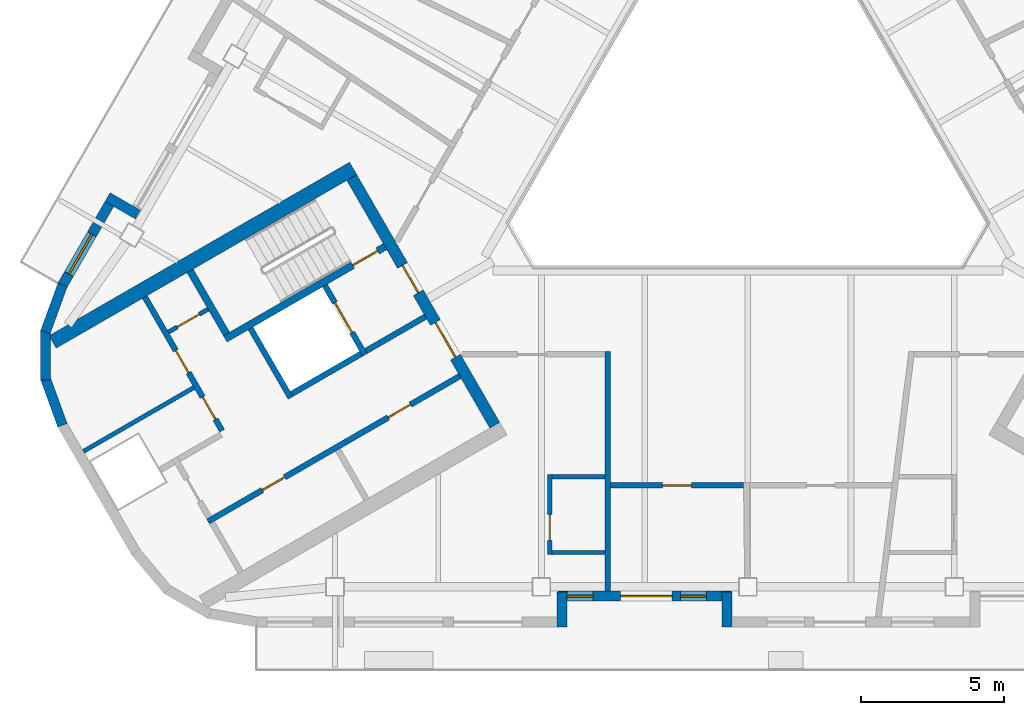
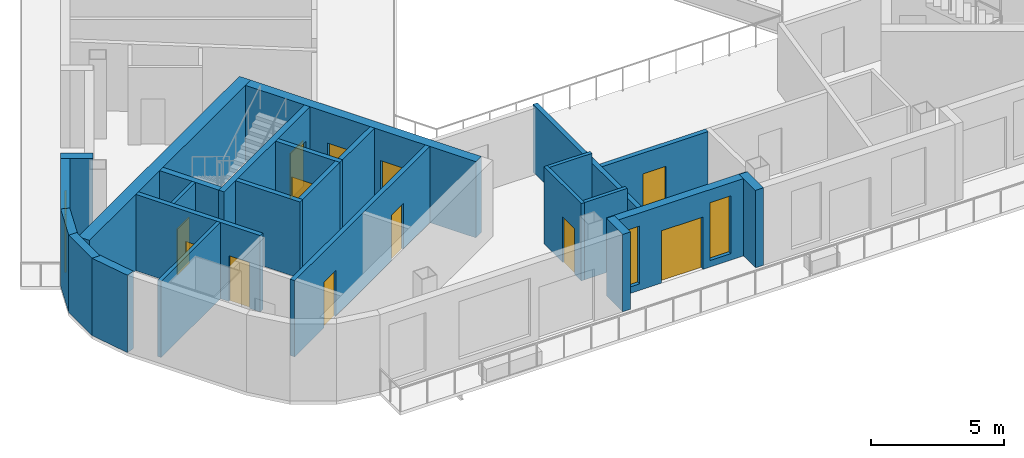
# One storey, part 3 of 13: 25 walls, 12 doors, 3 windows, 15 openings.
"""IFC4 building model written with IfcOpenShell, lengths in metres."""

from ifc_helpers import new_model, si_unit, direction, frame, frame_2d, origin, place, context, subcontext, project, spatial, rectangle, extrude, material, layer, layer_set, type_object, element, fill, save


model = new_model("IFC4")

# Units and contexts
model_context = context("Model", 3, precision=1e-05, world=origin(), true_north=direction((0.0, 1.0)))
body_context = subcontext(model_context, "Body", "Model", "MODEL_VIEW")
ifc_project = project(units=[si_unit("LENGTHUNIT", "METRE"), si_unit("AREAUNIT", "SQUARE_METRE"), si_unit("VOLUMEUNIT", "CUBIC_METRE"), si_unit("PLANEANGLEUNIT", "RADIAN"), si_unit("MASSUNIT", "GRAM", prefix="KILO")], contexts=[model_context])

# Site, building, storey
site_placement = place(None, origin())
site = spatial("IfcSite", under=ifc_project, at=site_placement, CompositionType="ELEMENT")
building_placement = place(site_placement, origin())
building = spatial("IfcBuilding", under=site, at=building_placement, Name="Apuvela Tower Hotel", CompositionType="ELEMENT")
storey_placement = place(building_placement, frame((0.0, 0.0, 283.699951171875)))
storey = spatial("IfcBuildingStorey", under=building, at=storey_placement, Name="L70", CompositionType="ELEMENT", Elevation=283.699951171875)

# Wall, openings, doors
ifc_material_1 = material(Name="Concrete C50/60", Category="concrete")
ifc_layer_1 = layer(ifc_material_1, 0.39990234375)
ifc_layer_set_1 = layer_set([ifc_layer_1], Name="COR-WALL-CORE-400")
wall_type_1 = type_object("IfcWallType", Name="COR-WALL-CORE-400", PredefinedType="SHEAR", material=ifc_layer_set_1)
wall_1_placement = place(storey_placement, frame((-13.844970703125, -2.219970703125, 0.0), z_axis=(0.0, 0.0, 1.0), x_axis=(0.500004234368, -0.866022959057, 0.0)))
wall_1 = element("IfcWall", 1, at=wall_1_placement, inside=storey, type_object=wall_type_1, Name="Core wall SW", PredefinedType="SHEAR", context=body_context, shape_type="SweptSolid", body=[
    extrude(rectangle(XDim=10.0, YDim=0.39990234375, at=frame_2d((5.0, 0.0))), origin(), (0.0, 0.0, 1.0), 3.5),
])
opening_1_placement = place(wall_1_placement, frame((3.550048828125, 0.0, 0.0)))
opening_1 = element("IfcOpeningElement", 2, at=opening_1_placement, cuts=wall_1, Name="Opening W-FD", PredefinedType="OPENING", context=body_context, shape_type="SweptSolid", body=[
    extrude(rectangle(XDim=1.10009765625, YDim=2.10009765625, at=frame_2d((0.550048828125, 1.050048828125))), frame((0.0, 0.2099609375, 0.0), z_axis=(0.0, -1.0, 0.0), x_axis=(1.0, 0.0, 0.0)), (0.0, 0.0, 1.0), 0.419921875),
])
opening_2_placement = place(wall_1_placement, frame((5.85009765625, 0.0, 0.0)))
opening_2 = element("IfcOpeningElement", 3, at=opening_2_placement, cuts=wall_1, Name="Opening W-GD", PredefinedType="OPENING", context=body_context, shape_type="SweptSolid", body=[
    extrude(rectangle(XDim=1.39990234375, YDim=2.10009765625, at=frame_2d((0.699951171875, 1.050048828125))), frame((0.0, 0.2099609375, 0.0), z_axis=(0.0, -1.0, 0.0), x_axis=(1.0, 0.0, 0.0)), (0.0, 0.0, 1.0), 0.419921875),
])
ifc_material_2 = material(Name="Steel fire door, powder coated", Category="steel")
door_type_1 = type_object("IfcDoorType", Name="COR-FD-1100", OperationType="NOTDEFINED", PredefinedType="DOOR", material=ifc_material_2)
door_1_placement = place(opening_1_placement, frame((1.10009765625, 0.0, 0.0), z_axis=(0.0, 0.0, 1.0), x_axis=(-1.0, 0.0, 0.0)))
door_1 = element("IfcDoor", 4, at=door_1_placement, inside=storey, type_object=door_type_1, Name="Firefighting lobby door W-FD", OperationType="SINGLE_SWING_LEFT", OverallHeight=2.10009765625, OverallWidth=1.10009765625, PredefinedType="DOOR", context=body_context, shape_type="SweptSolid", body=[
    extrude(rectangle(XDim=1.10009765625, YDim=2.10009765625, at=frame_2d((0.550048828125, 1.050048828125))), frame((0.0, 0.02490234375, 0.0), z_axis=(0.0, -1.0, 0.0), x_axis=(1.0, 0.0, 0.0)), (0.0, 0.0, 1.0), 0.050048828125),
])
fill(opening_1, door_1)
ifc_material_3 = material(Name="Glazed steel fire door", Category="steel")
door_type_2 = type_object("IfcDoorType", Name="COR-GD-1400", OperationType="DOUBLE_DOOR_SINGLE_SWING", PredefinedType="DOOR", material=ifc_material_3)
door_2_placement = place(opening_2_placement, frame((1.39990234375, 0.0, 0.0), z_axis=(0.0, 0.0, 1.0), x_axis=(-1.0, 0.0, 0.0)))
door_2 = element("IfcDoor", 5, at=door_2_placement, inside=storey, type_object=door_type_2, Name="Lift lobby door W-GD", OperationType="DOUBLE_DOOR_SINGLE_SWING", OverallHeight=2.10009765625, OverallWidth=1.39990234375, PredefinedType="DOOR", context=body_context, shape_type="SweptSolid", body=[
    extrude(rectangle(XDim=1.39990234375, YDim=2.10009765625, at=frame_2d((0.699951171875, 1.050048828125))), frame((0.0, 0.02490234375, 0.0), z_axis=(0.0, -1.0, 0.0), x_axis=(1.0, 0.0, 0.0)), (0.0, 0.0, 1.0), 0.050048828125),
])
fill(opening_2, door_2)

# Wall
ifc_layer_2 = layer(ifc_material_1, 0.5)
ifc_layer_set_2 = layer_set([ifc_layer_2], Name="COR-WALL-CORE-500")
wall_type_2 = type_object("IfcWallType", Name="COR-WALL-CORE-500", PredefinedType="SHEAR", material=ifc_layer_set_2)
wall_2_placement = place(storey_placement, frame((-13.796630859375, -1.9033203125, 0.0), z_axis=(0.0, 0.0, 1.0), x_axis=(-0.866024688907, -0.500001238203, 0.0)))
element("IfcWall", 6, at=wall_2_placement, inside=storey, type_object=wall_type_2, Name="Core wall SW", PredefinedType="SHEAR", context=body_context, shape_type="SweptSolid", body=[
    extrude(rectangle(XDim=12.12890625, YDim=0.5, at=frame_2d((6.064453125, 0.0))), origin(), (0.0, 0.0, 1.0), 3.5),
])

# Wall, opening, door
ifc_material_4 = material(Name="Blockwork 150 mm plastered", Category="masonry")
ifc_layer_3 = layer(ifc_material_4, 0.14990234375)
ifc_layer_set_3 = layer_set([ifc_layer_3], Name="COR-WALL-PART-150")
wall_type_3 = type_object("IfcWallType", Name="COR-WALL-PART-150", PredefinedType="PARTITIONING", material=ifc_layer_set_3)
wall_3_placement = place(storey_placement, frame((-18.866455078125, -6.822265625, 0.0), z_axis=(0.0, 0.0, 1.0), x_axis=(-0.866028054938, -0.499995408039, 0.0)))
wall_3 = element("IfcWall", 7, at=wall_3_placement, inside=storey, type_object=wall_type_3, Name="Partition SW", PredefinedType="PARTITIONING", context=body_context, shape_type="SweptSolid", body=[
    extrude(rectangle(XDim=1.60009765625, YDim=0.14990234375, at=frame_2d((0.800048828125, 0.0))), origin(), (0.0, 0.0, 1.0), 3.5),
])
opening_3_placement = place(wall_3_placement, frame((0.35009765625, 0.0, 0.0)))
opening_3 = element("IfcOpeningElement", 8, at=opening_3_placement, cuts=wall_3, Name="Opening W-RD", PredefinedType="OPENING", context=body_context, shape_type="SweptSolid", body=[
    extrude(rectangle(XDim=0.89990234375, YDim=2.10009765625, at=frame_2d((0.449951171875, 1.050048828125))), frame((0.0, 0.0849609375, 0.0), z_axis=(0.0, -1.0, 0.0), x_axis=(1.0, 0.0, 0.0)), (0.0, 0.0, 1.0), 0.169921875),
])
ifc_material_5 = material(Name="Steel access door, powder coated", Category="steel")
door_type_3 = type_object("IfcDoorType", Name="COR-RD-900", OperationType="NOTDEFINED", PredefinedType="DOOR", material=ifc_material_5)
door_3_placement = place(opening_3_placement, frame((0.89990234375, 0.0, 0.0), z_axis=(0.0, 0.0, 1.0), x_axis=(-1.0, 0.0, 0.0)))
door_3 = element("IfcDoor", 9, at=door_3_placement, inside=storey, type_object=door_type_3, Name="Riser door W-RD", OperationType="SINGLE_SWING_RIGHT", OverallHeight=2.10009765625, OverallWidth=0.89990234375, PredefinedType="DOOR", context=body_context, shape_type="SweptSolid", body=[
    extrude(rectangle(XDim=0.89990234375, YDim=2.10009765625, at=frame_2d((0.449951171875, 1.050048828125))), frame((0.0, 0.02490234375, 0.0), z_axis=(0.0, -1.0, 0.0), x_axis=(1.0, 0.0, 0.0)), (0.0, 0.0, 1.0), 0.050048828125),
])
fill(opening_3, door_3)

# Wall
wall_4_placement = place(storey_placement, frame((-19.36279296875, -9.5625, 0.0), z_axis=(0.0, 0.0, 1.0), x_axis=(-0.866024199568, -0.500002085759, 0.0)))
element("IfcWall", 10, at=wall_4_placement, inside=storey, type_object=wall_type_3, Name="Partition SW", PredefinedType="PARTITIONING", context=body_context, shape_type="SweptSolid", body=[
    extrude(rectangle(XDim=4.458984375, YDim=0.14990234375, at=frame_2d((2.2294921875, 0.0))), origin(), (0.0, 0.0, 1.0), 3.5),
])

# Wall, openings, doors
ifc_material_6 = material(Name="Blockwork 200 mm plastered", Category="masonry")
ifc_layer_4 = layer(ifc_material_6, 0.199951171875)
ifc_layer_set_4 = layer_set([ifc_layer_4], Name="COR-WALL-PART-200")
wall_type_4 = type_object("IfcWallType", Name="COR-WALL-PART-200", PredefinedType="PARTITIONING", material=ifc_layer_set_4)
wall_5_placement = place(storey_placement, frame((-21.076171875, -6.39501953125, 0.0), z_axis=(0.0, 0.0, 1.0), x_axis=(0.50001468107, -0.866016927499, 0.0)))
wall_5 = element("IfcWall", 11, at=wall_5_placement, inside=storey, type_object=wall_type_4, Name="Partition SW", PredefinedType="PARTITIONING", context=body_context, shape_type="SweptSolid", body=[
    extrude(rectangle(XDim=5.399658203125, YDim=0.199951171875, at=frame_2d((2.69970703125, 0.0))), origin(), (0.0, 0.0, 1.0), 3.5),
])
opening_4_placement = place(wall_5_placement, frame((2.16259765625, 0.0, 0.0)))
opening_4 = element("IfcOpeningElement", 12, at=opening_4_placement, cuts=wall_5, Name="Opening W-RS1", PredefinedType="OPENING", context=body_context, shape_type="SweptSolid", body=[
    extrude(rectangle(XDim=0.89990234375, YDim=2.10009765625, at=frame_2d((0.449951171875, 1.050048828125))), frame((0.0, 0.10986328125, 0.0), z_axis=(0.0, -1.0, 0.0), x_axis=(1.0, 0.0, 0.0)), (0.0, 0.0, 1.0), 0.219970703125),
])
opening_5_placement = place(wall_5_placement, frame((4.03759765625, 0.0, 0.0)))
opening_5 = element("IfcOpeningElement", 13, at=opening_5_placement, cuts=wall_5, Name="Opening W-RS2", PredefinedType="OPENING", context=body_context, shape_type="SweptSolid", body=[
    extrude(rectangle(XDim=0.89990234375, YDim=2.10009765625, at=frame_2d((0.449951171875, 1.050048828125))), frame((0.0, 0.10986328125, 0.0), z_axis=(0.0, -1.0, 0.0), x_axis=(1.0, 0.0, 0.0)), (0.0, 0.0, 1.0), 0.219970703125),
])
door_type_4 = type_object("IfcDoorType", Name="COR-DR-900", OperationType="NOTDEFINED", PredefinedType="DOOR", material=ifc_material_2)
door_4_placement = place(opening_4_placement, frame((0.89990234375, 0.0, 0.0), z_axis=(0.0, 0.0, 1.0), x_axis=(-1.0, 0.0, 0.0)))
door_4 = element("IfcDoor", 14, at=door_4_placement, inside=storey, type_object=door_type_4, Name="Store door W-RS1", OperationType="SINGLE_SWING_LEFT", OverallHeight=2.10009765625, OverallWidth=0.89990234375, PredefinedType="DOOR", context=body_context, shape_type="SweptSolid", body=[
    extrude(rectangle(XDim=0.89990234375, YDim=2.10009765625, at=frame_2d((0.449951171875, 1.050048828125))), frame((0.0, 0.02490234375, 0.0), z_axis=(0.0, -1.0, 0.0), x_axis=(1.0, 0.0, 0.0)), (0.0, 0.0, 1.0), 0.050048828125),
])
fill(opening_4, door_4)
door_5_placement = place(opening_5_placement, frame((0.89990234375, 0.0, 0.0), z_axis=(0.0, 0.0, 1.0), x_axis=(-1.0, 0.0, 0.0)))
door_5 = element("IfcDoor", 15, at=door_5_placement, inside=storey, type_object=door_type_4, Name="Store door W-RS2", OperationType="SINGLE_SWING_LEFT", OverallHeight=2.10009765625, OverallWidth=0.89990234375, PredefinedType="DOOR", context=body_context, shape_type="SweptSolid", body=[
    extrude(rectangle(XDim=0.89990234375, YDim=2.10009765625, at=frame_2d((0.449951171875, 1.050048828125))), frame((0.0, 0.02490234375, 0.0), z_axis=(0.0, -1.0, 0.0), x_axis=(1.0, 0.0, 0.0)), (0.0, 0.0, 1.0), 0.050048828125),
])
fill(opening_5, door_5)

# Wall
ifc_layer_5 = layer(ifc_material_1, 0.199951171875)
ifc_layer_set_5 = layer_set([ifc_layer_5], Name="COR-WALL-SHAFT-200")
wall_type_5 = type_object("IfcWallType", Name="COR-WALL-SHAFT-200", PredefinedType="SHEAR", material=ifc_layer_set_5)
wall_6_placement = place(storey_placement, frame((-17.38134765625, -7.49462890625, 0.0), z_axis=(0.0, 0.0, 1.0), x_axis=(0.500011755427, -0.866018616679, 0.0)))
element("IfcWall", 16, at=wall_6_placement, inside=storey, type_object=wall_type_5, Name="Shaft wall SW", PredefinedType="SHEAR", context=body_context, shape_type="SweptSolid", body=[
    extrude(rectangle(XDim=2.80029296875, YDim=0.199951171875, at=frame_2d((1.400146484375, 0.0))), origin(), (0.0, 0.0, 1.0), 3.5),
])

# Wall, opening, door
wall_7_placement = place(storey_placement, frame((-14.783203125, -5.99462890625, 0.0), z_axis=(0.0, 0.0, 1.0), x_axis=(0.49994636267, -0.866056369097, 0.0)))
wall_7 = element("IfcWall", 17, at=wall_7_placement, inside=storey, type_object=wall_type_5, Name="Shaft wall SW", PredefinedType="SHEAR", context=body_context, shape_type="SweptSolid", body=[
    extrude(rectangle(XDim=2.800048828125, YDim=0.199951171875, at=frame_2d((1.39990234375, 0.0))), origin(), (0.0, 0.0, 1.0), 3.5),
])
opening_6_placement = place(wall_7_placement, frame((0.699951171875, 0.0, 0.0)))
opening_6 = element("IfcOpeningElement", 18, at=opening_6_placement, cuts=wall_7, Name="Opening W-LD-FS2", PredefinedType="OPENING", context=body_context, shape_type="SweptSolid", body=[
    extrude(rectangle(XDim=1.199951171875, YDim=2.10009765625, at=frame_2d((0.60009765625, 1.050048828125))), frame((0.0, 0.10986328125, 0.0), z_axis=(0.0, -1.0, 0.0), x_axis=(1.0, 0.0, 0.0)), (0.0, 0.0, 1.0), 0.219970703125),
])
ifc_material_7 = material(Name="Stainless steel lift landing door", Category="steel")
door_type_5 = type_object("IfcDoorType", Name="COR-LD-1200", OperationType="DOUBLE_DOOR_SLIDING", PredefinedType="DOOR", material=ifc_material_7)
door_6_placement = place(opening_6_placement, origin())
door_6 = element("IfcDoor", 19, at=door_6_placement, inside=storey, type_object=door_type_5, Name="Lift landing door W-LD-FS2", OperationType="DOUBLE_DOOR_SLIDING", OverallHeight=2.10009765625, OverallWidth=1.199951171875, PredefinedType="DOOR", context=body_context, shape_type="SweptSolid", body=[
    extrude(rectangle(XDim=1.199951171875, YDim=2.10009765625, at=frame_2d((0.60009765625, 1.050048828125))), frame((0.0, 0.02490234375, 0.0), z_axis=(0.0, -1.0, 0.0), x_axis=(1.0, 0.0, 0.0)), (0.0, 0.0, 1.0), 0.050048828125),
])
fill(opening_6, door_6)

# Walls
wall_8_placement = place(storey_placement, frame((-13.519775390625, -8.383056640625, 0.0), z_axis=(0.0, 0.0, 1.0), x_axis=(-0.866034573852, -0.49998411664, 0.0)))
element("IfcWall", 20, at=wall_8_placement, inside=storey, type_object=wall_type_5, Name="Shaft wall SW", PredefinedType="SHEAR", context=body_context, shape_type="SweptSolid", body=[
    extrude(rectangle(XDim=2.7998046875, YDim=0.199951171875, at=frame_2d((1.39990234375, 0.0))), origin(), (0.0, 0.0, 1.0), 3.5),
])
wall_9_placement = place(storey_placement, frame((-11.26806640625, -7.0830078125, 0.0), z_axis=(0.0, 0.0, 1.0), x_axis=(-0.866050077142, -0.499957262057, 0.0)))
element("IfcWall", 21, at=wall_9_placement, inside=storey, type_object=wall_type_5, Name="Shaft wall SW", PredefinedType="SHEAR", context=body_context, shape_type="SweptSolid", body=[
    extrude(rectangle(XDim=2.400146484375, YDim=0.199951171875, at=frame_2d((1.2001953125, 0.0))), origin(), (0.0, 0.0, 1.0), 3.5),
])

# Wall, openings, doors
wall_10_placement = place(storey_placement, frame((-10.068115234375, -9.16162109375, 0.0), z_axis=(0.0, 0.0, 1.0), x_axis=(-0.866032725843, -0.499987317609, 0.0)))
wall_10 = element("IfcWall", 22, at=wall_10_placement, inside=storey, type_object=wall_type_5, Name="Shaft wall SW", PredefinedType="SHEAR", context=body_context, shape_type="SweptSolid", body=[
    extrude(rectangle(XDim=10.159912109375, YDim=0.199951171875, at=frame_2d((5.080078125, 0.0))), origin(), (0.0, 0.0, 1.0), 3.5),
])
opening_7_placement = place(wall_10_placement, frame((1.989990234375, 0.0, 0.0)))
opening_7 = element("IfcOpeningElement", 23, at=opening_7_placement, cuts=wall_10, Name="Opening W-RE1", PredefinedType="OPENING", context=body_context, shape_type="SweptSolid", body=[
    extrude(rectangle(XDim=0.89990234375, YDim=2.10009765625, at=frame_2d((0.449951171875, 1.050048828125))), frame((0.0, 0.10986328125, 0.0), z_axis=(0.0, -1.0, 0.0), x_axis=(1.0, 0.0, 0.0)), (0.0, 0.0, 1.0), 0.219970703125),
])
opening_8_placement = place(wall_10_placement, frame((7.070068359375, 0.0, 0.0)))
opening_8 = element("IfcOpeningElement", 24, at=opening_8_placement, cuts=wall_10, Name="Opening W-RE3", PredefinedType="OPENING", context=body_context, shape_type="SweptSolid", body=[
    extrude(rectangle(XDim=0.89990234375, YDim=2.10009765625, at=frame_2d((0.449951171875, 1.050048828125))), frame((0.0, 0.10986328125, 0.0), z_axis=(0.0, -1.0, 0.0), x_axis=(1.0, 0.0, 0.0)), (0.0, 0.0, 1.0), 0.219970703125),
])
door_7_placement = place(opening_7_placement, origin())
door_7 = element("IfcDoor", 25, at=door_7_placement, inside=storey, type_object=door_type_4, Name="Store door W-RE1", OperationType="SINGLE_SWING_LEFT", OverallHeight=2.10009765625, OverallWidth=0.89990234375, PredefinedType="DOOR", context=body_context, shape_type="SweptSolid", body=[
    extrude(rectangle(XDim=0.89990234375, YDim=2.10009765625, at=frame_2d((0.449951171875, 1.050048828125))), frame((0.0, 0.02490234375, 0.0), z_axis=(0.0, -1.0, 0.0), x_axis=(1.0, 0.0, 0.0)), (0.0, 0.0, 1.0), 0.050048828125),
])
fill(opening_7, door_7)
door_8_placement = place(opening_8_placement, origin())
door_8 = element("IfcDoor", 26, at=door_8_placement, inside=storey, type_object=door_type_4, Name="Store door W-RE3", OperationType="SINGLE_SWING_LEFT", OverallHeight=2.10009765625, OverallWidth=0.89990234375, PredefinedType="DOOR", context=body_context, shape_type="SweptSolid", body=[
    extrude(rectangle(XDim=0.89990234375, YDim=2.10009765625, at=frame_2d((0.449951171875, 1.050048828125))), frame((0.0, 0.02490234375, 0.0), z_axis=(0.0, -1.0, 0.0), x_axis=(1.0, 0.0, 0.0)), (0.0, 0.0, 1.0), 0.050048828125),
])
fill(opening_8, door_8)

# Wall, opening, door
ifc_layer_6 = layer(ifc_material_1, 0.25)
ifc_layer_set_6 = layer_set([ifc_layer_6], Name="COR-WALL-STAIR-250")
wall_type_6 = type_object("IfcWallType", Name="COR-WALL-STAIR-250", PredefinedType="SHEAR", material=ifc_layer_set_6)
wall_11_placement = place(storey_placement, frame((-12.6806640625, -4.636474609375, 0.0), z_axis=(0.0, 0.0, 1.0), x_axis=(-0.866021702275, -0.500006411147, 0.0)))
wall_11 = element("IfcWall", 27, at=wall_11_placement, inside=storey, type_object=wall_type_6, Name="Stair wall SW", PredefinedType="SHEAR", context=body_context, shape_type="SweptSolid", body=[
    extrude(rectangle(XDim=6.4501953125, YDim=0.25, at=frame_2d((3.22509765625, 0.0))), origin(), (0.0, 0.0, 1.0), 3.5),
])
opening_9_placement = place(wall_11_placement, frame((0.300048828125, 0.0, 0.0)))
opening_9 = element("IfcOpeningElement", 28, at=opening_9_placement, cuts=wall_11, Name="Opening W-SD", PredefinedType="OPENING", context=body_context, shape_type="SweptSolid", body=[
    extrude(rectangle(XDim=1.0, YDim=2.10009765625, at=frame_2d((0.5, 1.050048828125))), frame((0.0, 0.135009765625, 0.0), z_axis=(0.0, -1.0, 0.0), x_axis=(1.0, 0.0, 0.0)), (0.0, 0.0, 1.0), 0.27001953125),
])
door_type_6 = type_object("IfcDoorType", Name="COR-SD-1000", OperationType="NOTDEFINED", PredefinedType="DOOR", material=ifc_material_2)
door_9_placement = place(opening_9_placement, frame((1.0, 0.0, 0.0), z_axis=(0.0, 0.0, 1.0), x_axis=(-1.0, 0.0, 0.0)))
door_9 = element("IfcDoor", 29, at=door_9_placement, inside=storey, type_object=door_type_6, Name="Stair door W-SD", OperationType="SINGLE_SWING_LEFT", OverallHeight=2.10009765625, OverallWidth=1.0, PredefinedType="DOOR", context=body_context, shape_type="SweptSolid", body=[
    extrude(rectangle(XDim=1.0, YDim=2.10009765625, at=frame_2d((0.5, 1.050048828125))), frame((0.0, 0.02490234375, 0.0), z_axis=(0.0, -1.0, 0.0), x_axis=(1.0, 0.0, 0.0)), (0.0, 0.0, 1.0), 0.050048828125),
])
fill(opening_9, door_9)

# Walls
wall_12_placement = place(storey_placement, frame((-19.49560546875, -5.482421875, 0.0), z_axis=(0.0, 0.0, 1.0), x_axis=(0.499990435942, -0.866030925526, 0.0)))
element("IfcWall", 30, at=wall_12_placement, inside=storey, type_object=wall_type_6, Name="Stair wall SW", PredefinedType="SHEAR", context=body_context, shape_type="SweptSolid", body=[
    extrude(rectangle(XDim=2.5498046875, YDim=0.25, at=frame_2d((1.27490234375, 0.0))), origin(), (0.0, 0.0, 1.0), 3.5),
])
ifc_material_8 = material(Name="Concrete C40/50, dark pigmented precast panel", Category="concrete")
ifc_layer_7 = layer(ifc_material_8, 0.35009765625)
ifc_layer_set_7 = layer_set([ifc_layer_7], Name="ENV-WALL-350")
wall_type_7 = type_object("IfcWallType", Name="ENV-WALL-350", PredefinedType="SOLIDWALL", material=ifc_layer_set_7)
wall_13_placement = place(storey_placement, frame((-21.322998046875, -3.514892578125, 0.0), z_axis=(0.0, 0.0, 1.0), x_axis=(-0.866092288191, 0.499884134912, 0.0)))
element("IfcWall", 31, at=wall_13_placement, inside=storey, type_object=wall_type_7, Name="External wall L70-08", PredefinedType="SOLIDWALL", context=body_context, shape_type="SweptSolid", body=[
    extrude(rectangle(XDim=1.219970703125, YDim=0.35009765625, at=frame_2d((0.60986328125, 0.0))), origin(), (0.0, 0.0, 1.0), 3.550048828125),
])

# Wall, opening, window
wall_14_placement = place(storey_placement, frame((-22.140380859375, -2.841064453125, 0.0), z_axis=(0.0, 0.0, 1.0), x_axis=(-0.500040506767, -0.866002015928, 0.0)))
wall_14 = element("IfcWall", 32, at=wall_14_placement, inside=storey, type_object=wall_type_7, Name="External wall L70-09", PredefinedType="SOLIDWALL", context=body_context, shape_type="SweptSolid", body=[
    extrude(rectangle(XDim=3.654541015625, YDim=0.35009765625, at=frame_2d((1.8271484375, 0.0))), origin(), (0.0, 0.0, 1.0), 3.550048828125),
])
opening_10_placement = place(wall_14_placement, frame((1.574951171875, 0.0, 0.300048828125)))
opening_10 = element("IfcOpeningElement", 33, at=opening_10_placement, cuts=wall_14, Name="Opening WN16", PredefinedType="OPENING", context=body_context, shape_type="SweptSolid", body=[
    extrude(rectangle(XDim=1.60009765625, YDim=2.64990234375, at=frame_2d((0.800048828125, 1.324951171875))), frame((0.0, 0.18505859375, 0.0), z_axis=(0.0, -1.0, 0.0), x_axis=(1.0, 0.0, 0.0)), (0.0, 0.0, 1.0), 0.3701171875),
])
ifc_material_9 = material(Name="Glass, dark tinted laminated insulated glazing unit", Category="glass")
window_type_1 = type_object("IfcWindowType", Name="ENV-WIN-1600x2650", PartitioningType="SINGLE_PANEL", PredefinedType="WINDOW", material=ifc_material_9)
window_1_placement = place(opening_10_placement, origin())
window_1 = element("IfcWindow", 34, at=window_1_placement, inside=storey, type_object=window_type_1, Name="Window WN16", OverallHeight=2.64990234375, OverallWidth=1.60009765625, PartitioningType="SINGLE_PANEL", PredefinedType="WINDOW", context=body_context, shape_type="SweptSolid", body=[
    extrude(rectangle(XDim=1.60009765625, YDim=2.64990234375, at=frame_2d((0.800048828125, 1.324951171875))), frame((0.0, 0.030029296875, 0.0), z_axis=(0.0, -1.0, 0.0), x_axis=(1.0, 0.0, 0.0)), (0.0, 0.0, 1.0), 0.06005859375),
])
fill(opening_10, window_1)

# Walls
for number, where, z_axis, x_axis, name in (
    (35, (-23.954833984375, -5.978271484375, 0.0), (0.0, 0.0, 1.0), (-0.34201271391, -0.939695324839, 0.0), "External wall L70-10"),
    (36, (-24.541015625, -7.557861328125, 0.0), (0.0, 0.0, 1.0), (0.0, -1.0, 0.0), "External wall L70-11"),
    (37, (-24.551513671875, -9.242431640625, 0.0), (0.0, 0.0, 1.0), (0.34201271391, -0.939695324839, 0.0), "External wall L70-12"),
):
    element("IfcWall", number, at=place(storey_placement, frame(where, z_axis=z_axis, x_axis=x_axis)), inside=storey, type_object=wall_type_7, Name=name, PredefinedType="SOLIDWALL", context=body_context, shape_type="SweptSolid", body=[
        extrude(rectangle(XDim=1.74462890625, YDim=0.35009765625, at=frame_2d((0.872314453125, 0.0))), origin(), (0.0, 0.0, 1.0), 3.550048828125),
    ])
wall_15_placement = place(storey_placement, frame((-6.490234375, -17.9287109375, 0.0), z_axis=(0.0, 0.0, 1.0), x_axis=(0.0, 1.0, 0.0)))
element("IfcWall", 38, at=wall_15_placement, inside=storey, type_object=wall_type_7, Name="External wall L70-18", PredefinedType="SOLIDWALL", context=body_context, shape_type="SweptSolid", body=[
    extrude(rectangle(XDim=1.219970703125, YDim=0.35009765625, at=frame_2d((0.60986328125, 0.0))), origin(), (0.0, 0.0, 1.0), 3.550048828125),
])

# Wall, openings, door, windows
wall_16_placement = place(storey_placement, frame((-6.63525390625, -16.853759765625, 0.0), z_axis=(0.0, 0.0, 1.0), x_axis=(1.0, 0.0, 0.0)))
wall_16 = element("IfcWall", 39, at=wall_16_placement, inside=storey, type_object=wall_type_7, Name="External wall L70-19", PredefinedType="SOLIDWALL", context=body_context, shape_type="SweptSolid", body=[
    extrude(rectangle(XDim=6.05517578125, YDim=0.35009765625, at=frame_2d((3.027587890625, 0.0))), origin(), (0.0, 0.0, 1.0), 3.550048828125),
])
opening_11_placement = place(wall_16_placement, frame((0.3203125, 0.0, 0.300048828125)))
opening_11 = element("IfcOpeningElement", 40, at=opening_11_placement, cuts=wall_16, Name="Opening WN09", PredefinedType="OPENING", context=body_context, shape_type="SweptSolid", body=[
    extrude(rectangle(XDim=0.89990234375, YDim=2.64990234375, at=frame_2d((0.449951171875, 1.324951171875))), frame((0.0, 0.18505859375, 0.0), z_axis=(0.0, -1.0, 0.0), x_axis=(1.0, 0.0, 0.0)), (0.0, 0.0, 1.0), 0.3701171875),
])
opening_12_placement = place(wall_16_placement, frame((2.185546875, 0.0, 0.0)))
opening_12 = element("IfcOpeningElement", 41, at=opening_12_placement, cuts=wall_16, Name="Opening BD18", PredefinedType="OPENING", context=body_context, shape_type="SweptSolid", body=[
    extrude(rectangle(XDim=1.800048828125, YDim=2.39990234375, at=frame_2d((0.89990234375, 1.199951171875))), frame((0.0, 0.18505859375, 0.0), z_axis=(0.0, -1.0, 0.0), x_axis=(1.0, 0.0, 0.0)), (0.0, 0.0, 1.0), 0.3701171875),
])
opening_13_placement = place(wall_16_placement, frame((4.285400390625, 0.0, 0.300048828125)))
opening_13 = element("IfcOpeningElement", 42, at=opening_13_placement, cuts=wall_16, Name="Opening WN09", PredefinedType="OPENING", context=body_context, shape_type="SweptSolid", body=[
    extrude(rectangle(XDim=0.89990234375, YDim=2.64990234375, at=frame_2d((0.449951171875, 1.324951171875))), frame((0.0, 0.18505859375, 0.0), z_axis=(0.0, -1.0, 0.0), x_axis=(1.0, 0.0, 0.0)), (0.0, 0.0, 1.0), 0.3701171875),
])
ifc_material_10 = material(Name="Aluminium 6063-T6, dark bronze anodised frame with dark tinted laminated glass", Category="aluminium")
door_type_7 = type_object("IfcDoorType", Name="ENV-DOOR-BALCONY-1800x2400", OperationType="SLIDING_TO_LEFT", PredefinedType="DOOR", material=ifc_material_10)
door_10_placement = place(opening_12_placement, frame((1.800048828125, 0.0, 0.0), z_axis=(0.0, 0.0, 1.0), x_axis=(-1.0, 0.0, 0.0)))
door_10 = element("IfcDoor", 43, at=door_10_placement, inside=storey, type_object=door_type_7, Name="Balcony door BD18", OperationType="SLIDING_TO_LEFT", OverallHeight=2.39990234375, OverallWidth=1.800048828125, PredefinedType="DOOR", context=body_context, shape_type="SweptSolid", body=[
    extrude(rectangle(XDim=1.800048828125, YDim=2.39990234375, at=frame_2d((0.89990234375, 1.199951171875))), frame((0.0, 0.02490234375, 0.0), z_axis=(0.0, -1.0, 0.0), x_axis=(1.0, 0.0, 0.0)), (0.0, 0.0, 1.0), 0.050048828125),
])
fill(opening_12, door_10)
window_type_2 = type_object("IfcWindowType", Name="ENV-WIN-900x2650", PartitioningType="SINGLE_PANEL", PredefinedType="WINDOW", material=ifc_material_9)
window_2_placement = place(opening_11_placement, origin())
window_2 = element("IfcWindow", 44, at=window_2_placement, inside=storey, type_object=window_type_2, Name="Window WN09", OverallHeight=2.64990234375, OverallWidth=0.89990234375, PartitioningType="SINGLE_PANEL", PredefinedType="WINDOW", context=body_context, shape_type="SweptSolid", body=[
    extrude(rectangle(XDim=0.89990234375, YDim=2.64990234375, at=frame_2d((0.449951171875, 1.324951171875))), frame((0.0, 0.030029296875, 0.0), z_axis=(0.0, -1.0, 0.0), x_axis=(1.0, 0.0, 0.0)), (0.0, 0.0, 1.0), 0.06005859375),
])
fill(opening_11, window_2)
window_3_placement = place(opening_13_placement, origin())
window_3 = element("IfcWindow", 45, at=window_3_placement, inside=storey, type_object=window_type_2, Name="Window WN09", OverallHeight=2.64990234375, OverallWidth=0.89990234375, PartitioningType="SINGLE_PANEL", PredefinedType="WINDOW", context=body_context, shape_type="SweptSolid", body=[
    extrude(rectangle(XDim=0.89990234375, YDim=2.64990234375, at=frame_2d((0.449951171875, 1.324951171875))), frame((0.0, 0.030029296875, 0.0), z_axis=(0.0, -1.0, 0.0), x_axis=(1.0, 0.0, 0.0)), (0.0, 0.0, 1.0), 0.06005859375),
])
fill(opening_13, window_3)

# Walls
wall_17_placement = place(storey_placement, frame((-0.72509765625, -16.708740234375, 0.0), z_axis=(0.0, 0.0, 1.0), x_axis=(0.0, -1.0, 0.0)))
element("IfcWall", 46, at=wall_17_placement, inside=storey, type_object=wall_type_7, Name="External wall L70-20", PredefinedType="SOLIDWALL", context=body_context, shape_type="SweptSolid", body=[
    extrude(rectangle(XDim=1.219970703125, YDim=0.35009765625, at=frame_2d((0.60986328125, 0.0))), origin(), (0.0, 0.0, 1.0), 3.550048828125),
])
ifc_material_11 = material(Name="Gypsum board partition on twin steel stud", Category="steel")
ifc_layer_8 = layer(ifc_material_11, 0.199951171875)
ifc_layer_set_8 = layer_set([ifc_layer_8], Name="GST-PW1")
wall_type_8 = type_object("IfcWallType", Name="GST-PW1", PredefinedType="PARTITIONING", material=ifc_layer_set_8)
wall_18_placement = place(storey_placement, frame((-4.89990234375, -16.6787109375, 0.0), z_axis=(0.0, 0.0, 1.0), x_axis=(0.0, 1.0, 0.0)))
element("IfcWall", 47, at=wall_18_placement, inside=storey, type_object=wall_type_8, Name="L70 partition 01", PredefinedType="PARTITIONING", context=body_context, shape_type="SweptSolid", body=[
    extrude(rectangle(XDim=8.378662109375, YDim=0.199951171875, at=frame_2d((4.189453125, 0.0))), origin(), (0.0, 0.0, 1.0), 3.10009765625),
])

# Wall, opening, door
ifc_material_12 = material(Name="Gypsum board corridor wall on twin steel stud, acoustic", Category="steel")
ifc_layer_9 = layer(ifc_material_12, 0.199951171875)
ifc_layer_set_9 = layer_set([ifc_layer_9], Name="GST-PW2")
wall_type_9 = type_object("IfcWallType", Name="GST-PW2", PredefinedType="PARTITIONING", material=ifc_layer_set_9)
wall_19_placement = place(storey_placement, frame((-0.150634765625, -12.978759765625, 0.0), z_axis=(0.0, 0.0, 1.0), x_axis=(-1.0, 0.0, 0.0)))
wall_19 = element("IfcWall", 48, at=wall_19_placement, inside=storey, type_object=wall_type_9, Name="L70 partition 16", PredefinedType="PARTITIONING", context=body_context, shape_type="SweptSolid", body=[
    extrude(rectangle(XDim=4.6494140625, YDim=0.199951171875, at=frame_2d((2.32470703125, 0.0))), origin(), (0.0, 0.0, 1.0), 3.050048828125),
])
opening_14_placement = place(wall_19_placement, frame((1.82470703125, 0.0, 0.0)))
opening_14 = element("IfcOpeningElement", 49, at=opening_14_placement, cuts=wall_19, Name="Opening GD28-03", PredefinedType="OPENING", context=body_context, shape_type="SweptSolid", body=[
    extrude(rectangle(XDim=1.0, YDim=2.10009765625, at=frame_2d((0.5, 1.050048828125))), frame((0.0, 0.10986328125, 0.0), z_axis=(0.0, -1.0, 0.0), x_axis=(1.0, 0.0, 0.0)), (0.0, 0.0, 1.0), 0.219970703125),
])
ifc_material_13 = material(Name="Timber door leaf in steel frame", Category="steel")
door_type_8 = type_object("IfcDoorType", Name="GST-D1", OperationType="NOTDEFINED", PredefinedType="DOOR", material=ifc_material_13)
door_11_placement = place(opening_14_placement, origin())
door_11 = element("IfcDoor", 50, at=door_11_placement, inside=storey, type_object=door_type_8, Name="Door L70-03", OperationType="SINGLE_SWING_LEFT", OverallHeight=2.10009765625, OverallWidth=1.0, PredefinedType="DOOR", context=body_context, shape_type="SweptSolid", body=[
    extrude(rectangle(XDim=1.0, YDim=2.10009765625, at=frame_2d((0.5, 1.050048828125))), frame((0.0, 0.02490234375, 0.0), z_axis=(0.0, -1.0, 0.0), x_axis=(1.0, 0.0, 0.0)), (0.0, 0.0, 1.0), 0.050048828125),
])
fill(opening_14, door_11)

ifc_material_14 = material(Name="Moisture-resistant gypsum board wet wall on steel stud", Category="steel")
ifc_layer_10 = layer(ifc_material_14, 0.14990234375)
ifc_layer_set_10 = layer_set([ifc_layer_10], Name="GST-PW3")
wall_type_10 = type_object("IfcWallType", Name="GST-PW3", PredefinedType="PARTITIONING", material=ifc_layer_set_10)
wall_20_placement = place(storey_placement, frame((-6.925048828125, -12.60009765625, 0.0), z_axis=(0.0, 0.0, 1.0), x_axis=(0.0, -1.0, 0.0)))
wall_20 = element("IfcWall", 51, at=wall_20_placement, inside=storey, type_object=wall_type_10, Name="L70 partition 13", PredefinedType="PARTITIONING", context=body_context, shape_type="SweptSolid", body=[
    extrude(rectangle(XDim=2.7998046875, YDim=0.14990234375, at=frame_2d((1.39990234375, 0.0))), origin(), (0.0, 0.0, 1.0), 3.550048828125),
])
opening_15_placement = place(wall_20_placement, frame((1.39990234375, 0.0, 0.0)))
opening_15 = element("IfcOpeningElement", 52, at=opening_15_placement, cuts=wall_20, Name="Opening GD28-01", PredefinedType="OPENING", context=body_context, shape_type="SweptSolid", body=[
    extrude(rectangle(XDim=0.89990234375, YDim=2.10009765625, at=frame_2d((0.449951171875, 1.050048828125))), frame((0.0, 0.0849609375, 0.0), z_axis=(0.0, -1.0, 0.0), x_axis=(1.0, 0.0, 0.0)), (0.0, 0.0, 1.0), 0.169921875),
])
door_type_9 = type_object("IfcDoorType", Name="GST-D2", OperationType="NOTDEFINED", PredefinedType="DOOR", material=ifc_material_13)
door_12_placement = place(opening_15_placement, origin())
door_12 = element("IfcDoor", 53, at=door_12_placement, inside=storey, type_object=door_type_9, Name="Door L70-01", OperationType="SINGLE_SWING_RIGHT", OverallHeight=2.10009765625, OverallWidth=0.89990234375, PredefinedType="DOOR", context=body_context, shape_type="SweptSolid", body=[
    extrude(rectangle(XDim=0.89990234375, YDim=2.10009765625, at=frame_2d((0.449951171875, 1.050048828125))), frame((0.0, 0.02490234375, 0.0), z_axis=(0.0, -1.0, 0.0), x_axis=(1.0, 0.0, 0.0)), (0.0, 0.0, 1.0), 0.050048828125),
])
fill(opening_15, door_12)

# Walls
for number, where, z_axis, x_axis, name in (
    (54, (-6.85009765625, -15.324951171875, 0.0), (0.0, 0.0, 1.0), (1.0, 0.0, 0.0), "L70 partition 14"),
    (55, (-6.85009765625, -12.675048828125, 0.0), (0.0, 0.0, 1.0), (1.0, 0.0, 0.0), "L70 partition 15"),
):
    element("IfcWall", number, at=place(storey_placement, frame(where, z_axis=z_axis, x_axis=x_axis)), inside=storey, type_object=wall_type_10, Name=name, PredefinedType="PARTITIONING", context=body_context, shape_type="SweptSolid", body=[
        extrude(rectangle(XDim=1.85009765625, YDim=0.14990234375, at=frame_2d((0.925048828125, 0.0))), origin(), (0.0, 0.0, 1.0), 3.550048828125),
    ])

save(model, "model.ifc")
